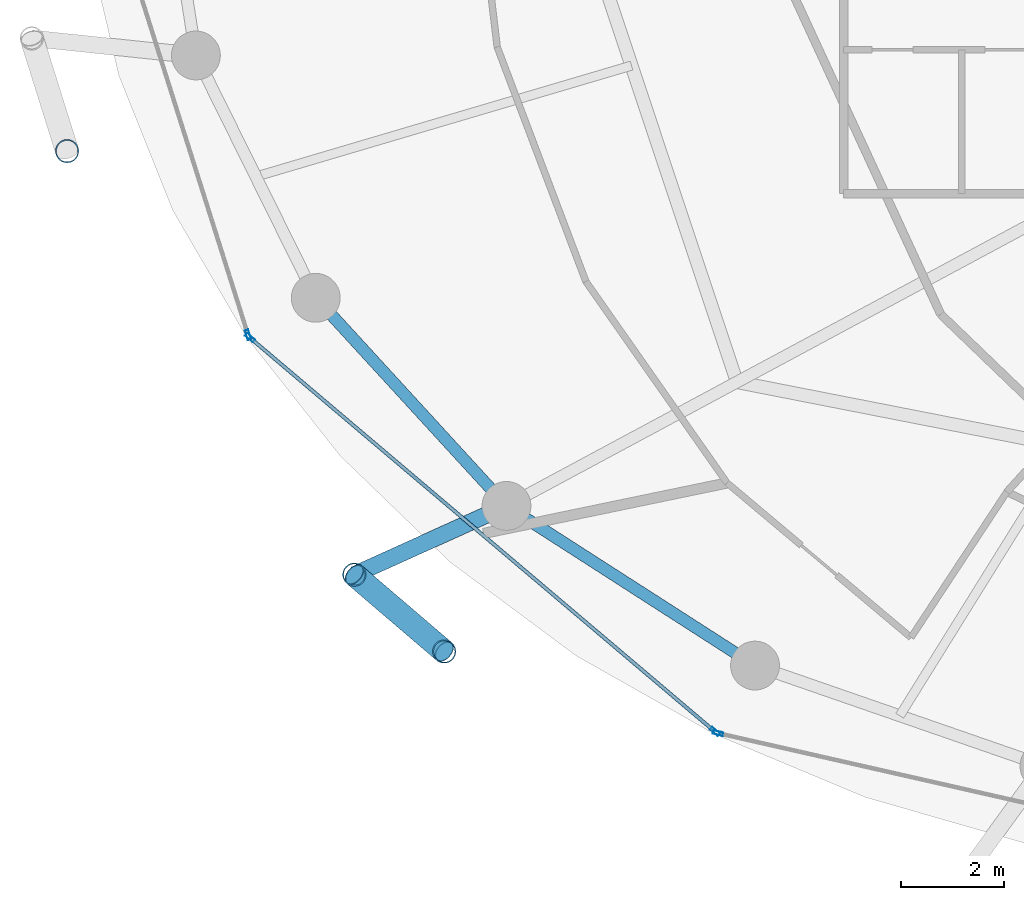
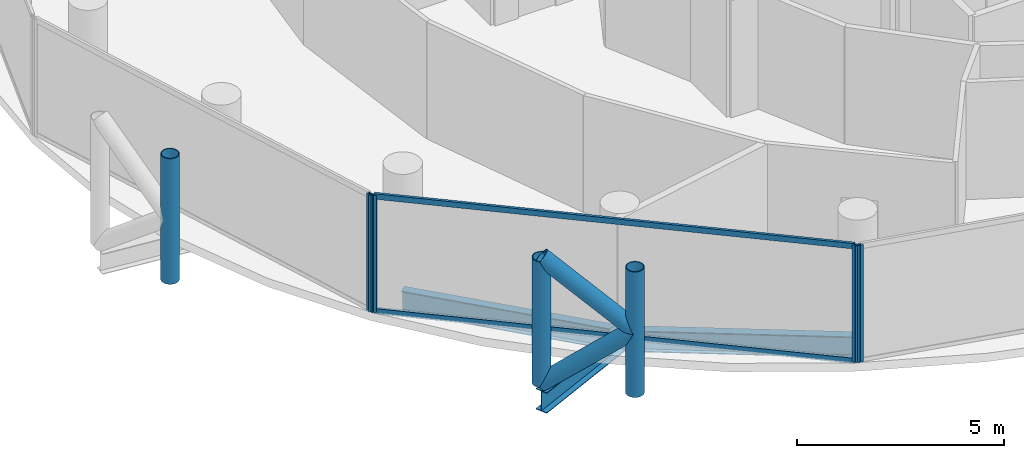
# One storey, part 2 of 26: 11 members, 3 beams, 3 elements without a shape of their own.
"""IFC4 building model written with IfcOpenShell, lengths in metres."""

from ifc_helpers import new_model, si_unit, direction, frame, origin, origin_2d, place, context, subcontext, project, spatial, hollow_rectangle, hollow_circle, i_section, extrude, material, layer, layer_set, material_profile, profile_set, type_object, element, aggregate, save


model = new_model("IFC4")

# Units and contexts
model_context = context("Model", 3, precision=1e-05, world=origin(), true_north=direction((0.0, 1.0)))
body_context = subcontext(model_context, "Body", "Model", "MODEL_VIEW")
ifc_project = project(units=[si_unit("LENGTHUNIT", "METRE"), si_unit("AREAUNIT", "SQUARE_METRE"), si_unit("VOLUMEUNIT", "CUBIC_METRE"), si_unit("PLANEANGLEUNIT", "RADIAN"), si_unit("MASSUNIT", "GRAM", prefix="KILO")], contexts=[model_context])

# Site, building, storey
site_placement = place(None, origin())
site = spatial("IfcSite", under=ifc_project, at=site_placement, CompositionType="ELEMENT")
building_placement = place(site_placement, origin())
building = spatial("IfcBuilding", under=site, at=building_placement, Name="Nuhasar Tower", CompositionType="ELEMENT")
storey_placement = place(building_placement, frame((0.0, 0.0, 170.050048828125)))
storey = spatial("IfcBuildingStorey", under=building, at=storey_placement, Name="L41", CompositionType="ELEMENT", Elevation=170.050048828125)

# Beams
ifc_material_1 = material(Name="Steel S355", Category="steel")
ifc_material_profile_1 = material_profile(ifc_material_1, i_section(OverallWidth=0.22998046875, OverallDepth=0.616943359375, WebThickness=0.01318359375, FlangeThickness=0.022216796875, at=origin_2d()), Name="W24X94")
ifc_profile_set_1 = profile_set([ifc_material_profile_1], Name="Steel S355")
beam_type_1 = type_object("IfcBeamType", Name="BM-RING-W24X94", PredefinedType="SPANDREL", material=ifc_profile_set_1)
beam_1_placement = place(storey_placement, frame((18.778076171875, 17.02490234375, -0.55810546875), z_axis=(0.675676316545, -0.737198423262, 0.0), x_axis=(0.737198423262, 0.675676316545, 0.0)))
element("IfcBeam", 1, at=beam_1_placement, inside=storey, type_object=beam_type_1, Name="L41 Perimeter Ring Spandrel 15", PredefinedType="SPANDREL", context=body_context, shape_type="SweptSolid", body=[
    extrude(i_section(OverallWidth=0.22998046875, OverallDepth=0.616943359375, WebThickness=0.01318359375, FlangeThickness=0.022216796875, at=origin_2d()), origin(), (0.0, 0.0, 1.0), 5.4921875),
])
beam_2_placement = place(storey_placement, frame((22.489013671875, 12.97607421875, -0.55810546875), z_axis=(0.841308170616, -0.540555789955, 0.0), x_axis=(0.540555789955, 0.841308170616, 0.0)))
element("IfcBeam", 2, at=beam_2_placement, inside=storey, type_object=beam_type_1, Name="L41 Perimeter Ring Spandrel 16", PredefinedType="SPANDREL", context=body_context, shape_type="SweptSolid", body=[
    extrude(i_section(OverallWidth=0.22998046875, OverallDepth=0.616943359375, WebThickness=0.01318359375, FlangeThickness=0.022216796875, at=origin_2d()), origin(), (0.0, 0.0, 1.0), 5.748046875),
])
ifc_material_profile_2 = material_profile(ifc_material_1, i_section(OverallWidth=0.323974609375, OverallDepth=0.611083984375, WebThickness=0.0126953125, FlangeThickness=0.01904296875, at=origin_2d()), Name="W24X104")
ifc_profile_set_2 = profile_set([ifc_material_profile_2], Name="Steel S355")
beam_type_2 = type_object("IfcBeamType", Name="BM-TIE-W24X104", PredefinedType="BEAM", material=ifc_profile_set_2)
beam_3_placement = place(storey_placement, frame((22.489013671875, 12.97607421875, -0.554931640625), z_axis=(-0.911211381786, -0.411939094653, 0.0), x_axis=(0.411939094653, -0.911211381786, 0.0)))
element("IfcBeam", 3, at=beam_3_placement, inside=storey, type_object=beam_type_2, Name="L41 Exoskeleton Node Tie Beam 08", PredefinedType="BEAM", context=body_context, shape_type="SweptSolid", body=[
    extrude(i_section(OverallWidth=0.323974609375, OverallDepth=0.611083984375, WebThickness=0.0126953125, FlangeThickness=0.01904296875, at=origin_2d()), origin(), (0.0, 0.0, 1.0), 3.248291015625),
])

# Curtain wall, member
ifc_material_2 = material(Name="Aluminium 6063-T6", Category="aluminium")
ifc_layer = layer(ifc_material_2, 0.199951171875)
ifc_layer_set = layer_set([ifc_layer], Name="Aluminium 6063-T6")
curtain_wall_type = type_object("IfcCurtainWallType", Name="CW-Z2-HTL", PredefinedType="NOTDEFINED", material=ifc_layer_set)
curtain_wall_1_placement = place(storey_placement, origin())
curtain_wall_1 = element("IfcCurtainWall", 4, at=curtain_wall_1_placement, inside=storey, type_object=curtain_wall_type, Name="L41 Unitised Curtain Wall 07", PredefinedType="NOTDEFINED")
ifc_material_profile_3 = material_profile(ifc_material_2, hollow_rectangle(XDim=0.070068359375, YDim=0.199951171875, WallThickness=0.0048828125, at=origin_2d()), Name="CWM-3")
ifc_profile_set_3 = profile_set([ifc_material_profile_3], Name="Aluminium 6063-T6")
member_type_1 = type_object("IfcMemberType", Name="CW-MUL-S3", PredefinedType="MULLION", material=ifc_profile_set_3)
member_1_placement = place(storey_placement, frame((17.46044921875, 16.303466796875, 0.0), z_axis=(0.0, 0.0, 1.0), x_axis=(0.953433389233, 0.301603667577, 0.0)))
member_1 = element("IfcMember", 5, at=member_1_placement, type_object=member_type_1, Name="CW-Z2 mullion 2", PredefinedType="MULLION", context=body_context, shape_type="SweptSolid", body=[
    extrude(hollow_rectangle(XDim=0.070068359375, YDim=0.199951171875, WallThickness=0.0048828125, at=origin_2d()), origin(), (0.0, 0.0, 1.0), 3.449951171875),
])
aggregate(curtain_wall_1, [member_1])

# Curtain wall, members
curtain_wall_2_placement = place(storey_placement, origin())
curtain_wall_2 = element("IfcCurtainWall", 6, at=curtain_wall_2_placement, inside=storey, type_object=curtain_wall_type, Name="L41 Unitised Curtain Wall 08", PredefinedType="NOTDEFINED")
member_2_placement = place(storey_placement, frame((17.497802734375, 16.247314453125, 0.0), z_axis=(0.0, 0.0, 1.0), x_axis=(0.646374438324, 0.763020370292, 0.0)))
member_2 = element("IfcMember", 7, at=member_2_placement, type_object=member_type_1, Name="CW-Z2 mullion 1", PredefinedType="MULLION", context=body_context, shape_type="SweptSolid", body=[
    extrude(hollow_rectangle(XDim=0.070068359375, YDim=0.199951171875, WallThickness=0.0048828125, at=origin_2d()), origin(), (0.0, 0.0, 1.0), 3.449951171875),
])
member_3_placement = place(storey_placement, frame((26.543212890625, 8.584716796875, 0.0), z_axis=(0.0, 0.0, 1.0), x_axis=(0.646374438324, 0.763020370292, 0.0)))
member_3 = element("IfcMember", 8, at=member_3_placement, type_object=member_type_1, Name="CW-Z2 mullion 2", PredefinedType="MULLION", context=body_context, shape_type="SweptSolid", body=[
    extrude(hollow_rectangle(XDim=0.070068359375, YDim=0.199951171875, WallThickness=0.0048828125, at=origin_2d()), origin(), (0.0, 0.0, 1.0), 3.449951171875),
])

# Curtain wall, member
curtain_wall_3_placement = place(storey_placement, origin())
curtain_wall_3 = element("IfcCurtainWall", 9, at=curtain_wall_3_placement, inside=storey, type_object=curtain_wall_type, Name="L41 Unitised Curtain Wall 09", PredefinedType="NOTDEFINED")
member_4_placement = place(storey_placement, frame((26.604248046875, 8.55419921875, 0.0), z_axis=(0.0, 0.0, 1.0), x_axis=(0.22139729566, 0.975183694221, 0.0)))
member_4 = element("IfcMember", 10, at=member_4_placement, type_object=member_type_1, Name="CW-Z2 mullion 1", PredefinedType="MULLION", context=body_context, shape_type="SweptSolid", body=[
    extrude(hollow_rectangle(XDim=0.070068359375, YDim=0.199951171875, WallThickness=0.0048828125, at=origin_2d()), origin(), (0.0, 0.0, 1.0), 3.449951171875),
])
aggregate(curtain_wall_3, [member_4])

# Member
ifc_material_profile_4 = material_profile(ifc_material_2, hollow_rectangle(XDim=0.070068359375, YDim=0.159912109375, WallThickness=0.00439453125, at=origin_2d()), Name="CWT-3")
ifc_profile_set_4 = profile_set([ifc_material_profile_4], Name="Aluminium 6063-T6")
member_type_2 = type_object("IfcMemberType", Name="CW-TRN-S3", PredefinedType="USERDEFINED", material=ifc_profile_set_4)
member_5_placement = place(storey_placement, frame((17.5244140625, 16.224853515625, 0.034912109375), z_axis=(0.763013698099, -0.646382314511, 0.0), x_axis=(0.646382314511, 0.763013698099, 0.0)))
member_5 = element("IfcMember", 11, at=member_5_placement, type_object=member_type_2, Name="CW-Z2 transom 1.1", ObjectType="TRANSOM", PredefinedType="USERDEFINED", context=body_context, shape_type="SweptSolid", body=[
    extrude(hollow_rectangle(XDim=0.070068359375, YDim=0.159912109375, WallThickness=0.00439453125, at=origin_2d()), origin(), (0.0, 0.0, 1.0), 11.78515625),
])

member_6_placement = place(storey_placement, frame((17.5244140625, 16.224853515625, 3.4150390625), z_axis=(0.763013698099, -0.646382314511, 0.0), x_axis=(0.646382314511, 0.763013698099, 0.0)))
member_6 = element("IfcMember", 12, at=member_6_placement, type_object=member_type_2, Name="CW-Z2 transom 1.2", ObjectType="TRANSOM", PredefinedType="USERDEFINED", context=body_context, shape_type="SweptSolid", body=[
    extrude(hollow_rectangle(XDim=0.070068359375, YDim=0.159912109375, WallThickness=0.00439453125, at=origin_2d()), origin(), (0.0, 0.0, 1.0), 11.78515625),
])

aggregate(curtain_wall_2, [member_2, member_3, member_5, member_6])

# Members
ifc_material_3 = material(Name="Steel S460", Category="steel")
ifc_material_profile_5 = material_profile(ifc_material_3, hollow_circle(Radius=0.228515625, WallThickness=0.022216796875, at=origin_2d()), Name="HSS457X22.2")
ifc_profile_set_5 = profile_set([ifc_material_profile_5], Name="Steel S460")
member_type_3 = type_object("IfcMemberType", Name="EXO-BRONZE-457", PredefinedType="BRACE", material=ifc_profile_set_5)
for number, where, z_axis, x_axis, name in (
    (13, (13.93994140625, 19.87890625, 0.0), (0.0, 0.0, 1.0), (1.0, 0.0, 0.0), "L41 Exoskeleton Chord Column EC-07B"),
    (14, (19.529052734375, 11.637939453125, 0.0), (0.0, 0.0, 1.0), (1.0, 0.0, 0.0), "L41 Exoskeleton Chord Column EC-08A"),
    (15, (21.277099609375, 10.14306640625, 0.0), (0.0, 0.0, 1.0), (1.0, 0.0, 0.0), "L41 Exoskeleton Chord Column EC-08B"),
):
    element("IfcMember", number, at=place(storey_placement, frame(where, z_axis=z_axis, x_axis=x_axis)), inside=storey, type_object=member_type_3, Name=name, PredefinedType="BRACE", context=body_context, shape_type="SweptSolid", body=[
        extrude(hollow_circle(Radius=0.228515625, WallThickness=0.022216796875, at=origin_2d()), origin(), (0.0, 0.0, 1.0), 3.699951171875),
    ])
member_7_placement = place(storey_placement, frame((19.529052734375, 11.637939453125, 0.0), z_axis=(0.592225874743, -0.506452378638, 0.626717242029), x_axis=(0.649925557156, 0.7599978751, 0.0)))
element("IfcMember", 16, at=member_7_placement, inside=storey, type_object=member_type_3, Name="L41 Bronze Diagrid Brace W1-08", PredefinedType="BRACE", context=body_context, shape_type="SweptSolid", body=[
    extrude(hollow_circle(Radius=0.228515625, WallThickness=0.022216796875, at=origin_2d()), origin(), (0.0, 0.0, 1.0), 2.95166015625),
])
member_8_placement = place(storey_placement, frame((21.277099609375, 10.14306640625, 1.849853515625), z_axis=(-0.592195175458, 0.506426125604, 0.626767463634), x_axis=(-0.649925557156, -0.7599978751, 0.0)))
element("IfcMember", 17, at=member_8_placement, inside=storey, type_object=member_type_3, Name="L41 Bronze Diagrid Brace W2-08", PredefinedType="BRACE", context=body_context, shape_type="SweptSolid", body=[
    extrude(hollow_circle(Radius=0.228515625, WallThickness=0.022216796875, at=origin_2d()), origin(), (0.0, 0.0, 1.0), 2.951904296875),
])

save(model, "model.ifc")
